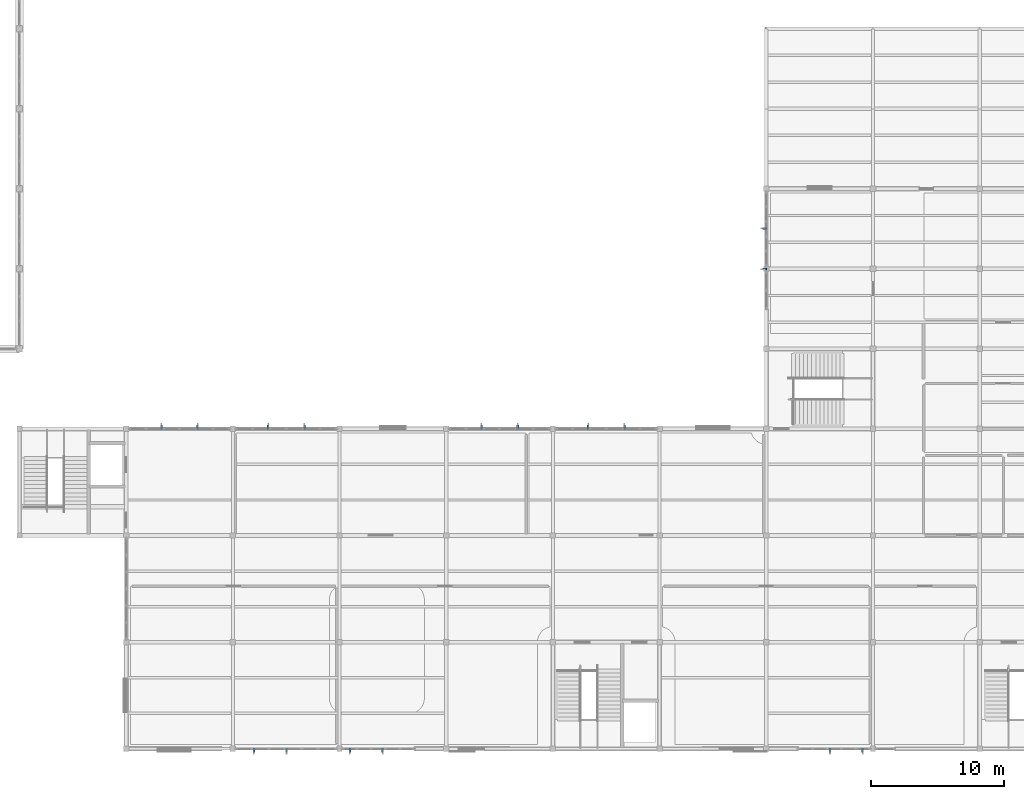
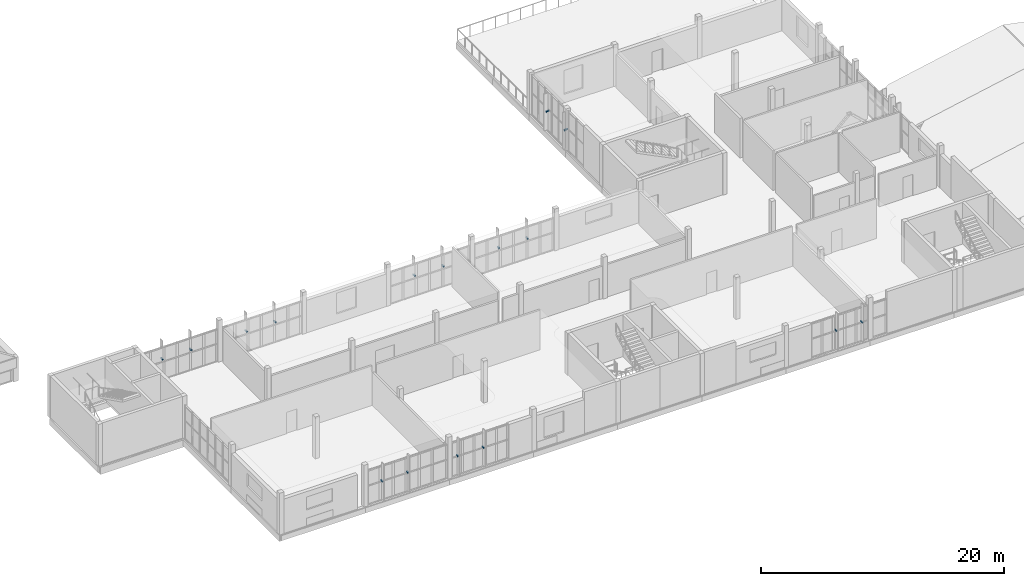
# One storey, part 41 of 45: 16 discrete accessories.
"""IFC4 building model written with IfcOpenShell, lengths in metres."""

from ifc_helpers import new_model, si_unit, direction, frame, origin, origin_2d, place, context, subcontext, project, spatial, rectangle, extrude, material, type_object, element, save


model = new_model("IFC4")

# Units and contexts
model_context = context("Model", 3, precision=1e-05, world=origin(), true_north=direction((0.0, 1.0)))
body_context = subcontext(model_context, "Body", "Model", "MODEL_VIEW")
ifc_project = project(units=[si_unit("LENGTHUNIT", "METRE"), si_unit("AREAUNIT", "SQUARE_METRE"), si_unit("VOLUMEUNIT", "CUBIC_METRE"), si_unit("PLANEANGLEUNIT", "RADIAN"), si_unit("MASSUNIT", "GRAM", prefix="KILO")], contexts=[model_context])

# Site, building, storey
site_placement = place(None, origin())
site = spatial("IfcSite", under=ifc_project, at=site_placement, CompositionType="ELEMENT")
building_placement = place(site_placement, origin())
building = spatial("IfcBuilding", under=site, at=building_placement, Name="Solvane Community Centre", CompositionType="ELEMENT")
storey_placement = place(building_placement, frame((0.0, 0.0, 13.800048828125)))
storey = spatial("IfcBuildingStorey", under=building, at=storey_placement, Name="L03", CompositionType="ELEMENT", Elevation=13.800048828125)

# Discrete accessories
ifc_material = material(Name="Steel ASTM A572 Grade 50", Category="steel")
discrete_accessory_type = type_object("IfcDiscreteAccessoryType", Name="Fin Mounting Bracket 120x120", PredefinedType="BRACKET", material=ifc_material)
for number, where, z_axis, x_axis, name in (
    (1, (123.22412109375, 5.89990234375, 1.929931640625), (0.0, 0.0, 1.0), (-1.0, 0.0, 0.0), "Fin Bracket 101"),
    (2, (120.77587890625, 5.89990234375, 1.929931640625), (0.0, 0.0, 1.0), (-1.0, 0.0, 0.0), "Fin Bracket 102"),
    (3, (87.22412109375, 5.89990234375, 1.929931640625), (0.0, 0.0, 1.0), (-1.0, 0.0, 0.0), "Fin Bracket 103"),
    (4, (84.77587890625, 5.89990234375, 1.929931640625), (0.0, 0.0, 1.0), (-1.0, 0.0, 0.0), "Fin Bracket 104"),
    (5, (80.02392578125, 5.89990234375, 1.929931640625), (0.0, 0.0, 1.0), (-1.0, 0.0, 0.0), "Fin Bracket 105"),
    (6, (77.575927734375, 5.89990234375, 1.929931640625), (0.0, 0.0, 1.0), (-1.0, 0.0, 0.0), "Fin Bracket 106"),
    (7, (70.639892578125, 30.10009765625, 1.929931640625), (0.0, 0.0, 1.0), (1.0, 0.0, 0.0), "Fin Bracket 107"),
    (8, (73.360107421875, 30.10009765625, 1.929931640625), (0.0, 0.0, 1.0), (1.0, 0.0, 0.0), "Fin Bracket 108"),
    (9, (78.639892578125, 30.10009765625, 1.929931640625), (0.0, 0.0, 1.0), (1.0, 0.0, 0.0), "Fin Bracket 109"),
    (10, (81.360107421875, 30.10009765625, 1.929931640625), (0.0, 0.0, 1.0), (1.0, 0.0, 0.0), "Fin Bracket 110"),
    (11, (94.639892578125, 30.10009765625, 1.929931640625), (0.0, 0.0, 1.0), (1.0, 0.0, 0.0), "Fin Bracket 111"),
    (12, (97.360107421875, 30.10009765625, 1.929931640625), (0.0, 0.0, 1.0), (1.0, 0.0, 0.0), "Fin Bracket 112"),
    (13, (102.639892578125, 30.10009765625, 1.929931640625), (0.0, 0.0, 1.0), (1.0, 0.0, 0.0), "Fin Bracket 113"),
    (14, (105.360107421875, 30.10009765625, 1.929931640625), (0.0, 0.0, 1.0), (1.0, 0.0, 0.0), "Fin Bracket 114"),
    (15, (115.89990234375, 41.969970703125, 1.929931640625), (0.0, 0.0, 1.0), (0.0, 1.0, 0.0), "Fin Bracket 115"),
    (16, (115.89990234375, 45.030029296875, 1.929931640625), (0.0, 0.0, 1.0), (0.0, 1.0, 0.0), "Fin Bracket 116"),
):
    element("IfcDiscreteAccessory", number, at=place(storey_placement, frame(where, z_axis=z_axis, x_axis=x_axis)), inside=storey, type_object=discrete_accessory_type, Name=name, PredefinedType="BRACKET", context=body_context, shape_type="SweptSolid", body=[
        extrude(rectangle(XDim=0.1201171875, YDim=0.300048828125, at=origin_2d()), origin(), (0.0, 0.0, 1.0), 0.1201171875),
    ])

save(model, "model.ifc")
